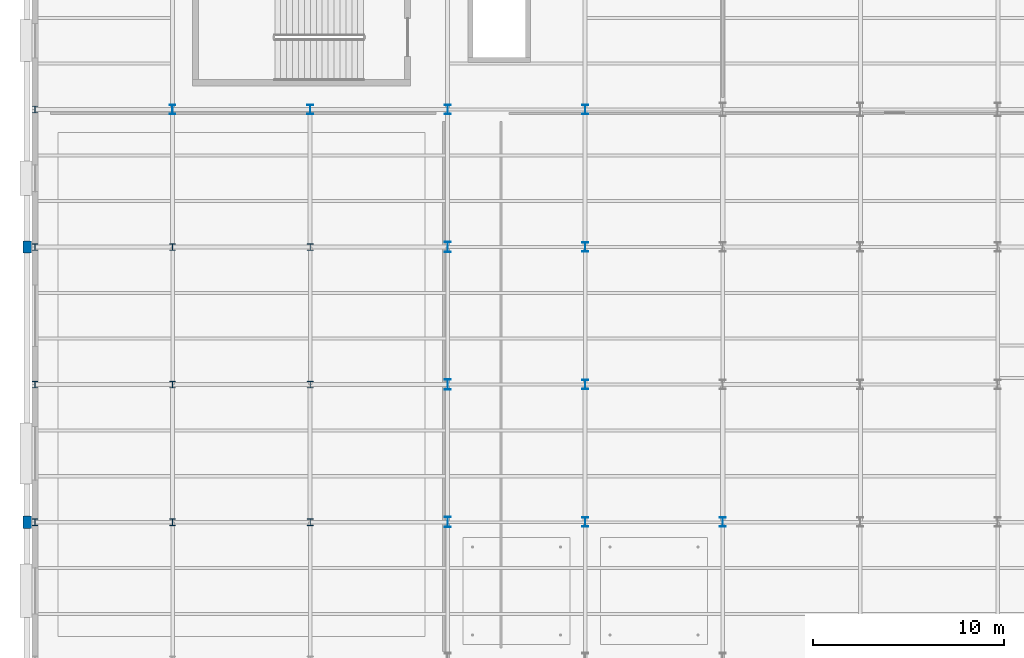
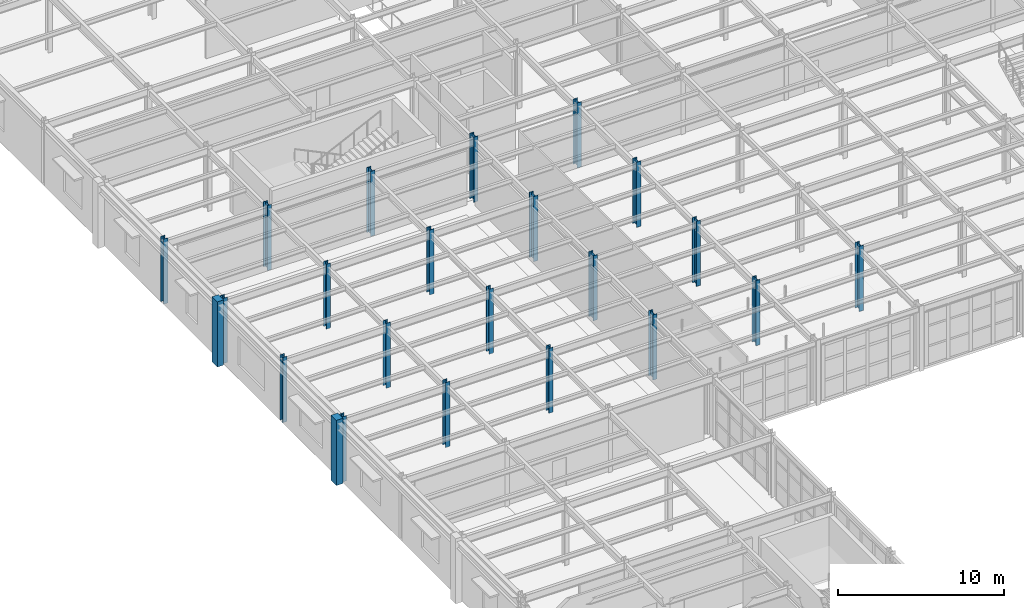
# One storey, part 8 of 121: 23 columns.
"""IFC4 building model written with IfcOpenShell, lengths in metres."""

from ifc_helpers import new_model, si_unit, direction, frame, origin, origin_2d, place, context, subcontext, project, spatial, rectangle, i_section, extrude, material, material_profile, profile_set, type_object, element, save


model = new_model("IFC4")

# Units and contexts
model_context = context("Model", 3, precision=1e-05, world=origin(), true_north=direction((0.0, 1.0)))
body_context = subcontext(model_context, "Body", "Model", "MODEL_VIEW")
ifc_project = project(units=[si_unit("LENGTHUNIT", "METRE"), si_unit("AREAUNIT", "SQUARE_METRE"), si_unit("VOLUMEUNIT", "CUBIC_METRE"), si_unit("PLANEANGLEUNIT", "RADIAN"), si_unit("MASSUNIT", "GRAM", prefix="KILO")], contexts=[model_context])

# Site, building, storey
site_placement = place(None, origin())
site = spatial("IfcSite", under=ifc_project, at=site_placement, CompositionType="ELEMENT")
building_placement = place(site_placement, origin())
building = spatial("IfcBuilding", under=site, at=building_placement, Name="Solvadek Multi-Sports Hall", CompositionType="ELEMENT")
storey_placement = place(building_placement, frame((0.0, 0.0, 4.800048828125)))
storey = spatial("IfcBuildingStorey", under=building, at=storey_placement, Name="L01", CompositionType="ELEMENT", Elevation=4.800048828125)

# Columns
ifc_material_1 = material(Name="Steel E350 (350 MPa)", Category="steel")
ifc_material_profile_1 = material_profile(ifc_material_1, i_section(OverallWidth=0.300048828125, OverallDepth=0.360107421875, WebThickness=0.012451171875, FlangeThickness=0.0224609375, at=origin_2d()), Name="WPB 360")
ifc_profile_set_1 = profile_set([ifc_material_profile_1], Name="Steel E350 (350 MPa)")
column_type_1 = type_object("IfcColumnType", Name="STR-COL-WPB360", PredefinedType="COLUMN", material=ifc_profile_set_1)
for number, where, z_axis, x_axis, name in (
    (1, (0.0, 56.39990234375, 0.0), (0.0, 0.0, 1.0), (1.0, 0.0, 0.0), "L01 Column C-08 #6"),
    (2, (0.0, 63.60009765625, 0.0), (0.0, 0.0, 1.0), (1.0, 0.0, 0.0), "L01 Column C-08 #7"),
    (3, (0.0, 70.800048828125, 0.0), (0.0, 0.0, 1.0), (1.0, 0.0, 0.0), "L01 Column C-08 #8"),
    (4, (0.0, 78.0, 0.0), (0.0, 0.0, 1.0), (1.0, 0.0, 0.0), "L01 Column C-08 #9"),
    (5, (7.199951171875, 56.39990234375, 0.0), (0.0, 0.0, 1.0), (1.0, 0.0, 0.0), "L01 Column C-08 #19"),
    (6, (7.199951171875, 63.60009765625, 0.0), (0.0, 0.0, 1.0), (1.0, 0.0, 0.0), "L01 Column C-08 #20"),
    (7, (7.199951171875, 70.800048828125, 0.0), (0.0, 0.0, 1.0), (1.0, 0.0, 0.0), "L01 Column C-08 #21"),
    (8, (14.39990234375, 56.39990234375, 0.0), (0.0, 0.0, 1.0), (1.0, 0.0, 0.0), "L01 Column C-08 #32"),
    (9, (14.39990234375, 63.60009765625, 0.0), (0.0, 0.0, 1.0), (1.0, 0.0, 0.0), "L01 Column C-08 #33"),
    (10, (14.39990234375, 70.800048828125, 0.0), (0.0, 0.0, 1.0), (1.0, 0.0, 0.0), "L01 Column C-08 #34"),
):
    element("IfcColumn", number, at=place(storey_placement, frame(where, z_axis=z_axis, x_axis=x_axis)), inside=storey, type_object=column_type_1, Name=name, PredefinedType="COLUMN", context=body_context, shape_type="SweptSolid", body=[
        extrude(i_section(OverallWidth=0.300048828125, OverallDepth=0.360107421875, WebThickness=0.012451171875, FlangeThickness=0.0224609375, at=origin_2d()), origin(), (0.0, 0.0, 1.0), 4.800048828125),
    ])
ifc_material_profile_2 = material_profile(ifc_material_1, i_section(OverallWidth=0.300048828125, OverallDepth=0.5, WebThickness=0.014404296875, FlangeThickness=0.028076171875, at=origin_2d()), Name="WPB 500")
ifc_profile_set_2 = profile_set([ifc_material_profile_2], Name="Steel E350 (350 MPa)")
column_type_2 = type_object("IfcColumnType", Name="STR-COL-WPB500", PredefinedType="COLUMN", material=ifc_profile_set_2)
for number, where, z_axis, x_axis, name in (
    (11, (7.199951171875, 78.0, 0.0), (0.0, 0.0, 1.0), (1.0, 0.0, 0.0), "L01 Column C-05 #22"),
    (12, (14.39990234375, 78.0, 0.0), (0.0, 0.0, 1.0), (1.0, 0.0, 0.0), "L01 Column C-05 #35"),
    (13, (21.60009765625, 78.0, 0.0), (0.0, 0.0, 1.0), (1.0, 0.0, 0.0), "L01 Column C-05 #48"),
    (14, (28.800048828125, 56.39990234375, 0.0), (0.0, 0.0, 1.0), (1.0, 0.0, 0.0), "L01 Column C-05 #58"),
    (15, (28.800048828125, 63.60009765625, 0.0), (0.0, 0.0, 1.0), (1.0, 0.0, 0.0), "L01 Column C-05 #59"),
    (16, (28.800048828125, 70.800048828125, 0.0), (0.0, 0.0, 1.0), (1.0, 0.0, 0.0), "L01 Column C-05 #60"),
    (17, (28.800048828125, 78.0, 0.0), (0.0, 0.0, 1.0), (1.0, 0.0, 0.0), "L01 Column C-05 #61"),
    (18, (36.0, 56.39990234375, 0.0), (0.0, 0.0, 1.0), (1.0, 0.0, 0.0), "L01 Column C-05 #73"),
):
    element("IfcColumn", number, at=place(storey_placement, frame(where, z_axis=z_axis, x_axis=x_axis)), inside=storey, type_object=column_type_2, Name=name, PredefinedType="COLUMN", context=body_context, shape_type="SweptSolid", body=[
        extrude(i_section(OverallWidth=0.300048828125, OverallDepth=0.5, WebThickness=0.014404296875, FlangeThickness=0.028076171875, at=origin_2d()), origin(), (0.0, 0.0, 1.0), 4.800048828125),
    ])
ifc_material_profile_3 = material_profile(ifc_material_1, i_section(OverallWidth=0.300048828125, OverallDepth=0.550048828125, WebThickness=0.014892578125, FlangeThickness=0.029052734375, at=origin_2d()), Name="WPB 550")
ifc_profile_set_3 = profile_set([ifc_material_profile_3], Name="Steel E350 (350 MPa)")
column_type_3 = type_object("IfcColumnType", Name="STR-COL-WPB550", PredefinedType="COLUMN", material=ifc_profile_set_3)
for number, where, z_axis, x_axis, name in (
    (19, (21.60009765625, 56.39990234375, 0.0), (0.0, 0.0, 1.0), (1.0, 0.0, 0.0), "L01 Column C-04 #45"),
    (20, (21.60009765625, 63.60009765625, 0.0), (0.0, 0.0, 1.0), (1.0, 0.0, 0.0), "L01 Column C-04 #46"),
    (21, (21.60009765625, 70.800048828125, 0.0), (0.0, 0.0, 1.0), (1.0, 0.0, 0.0), "L01 Column C-04 #47"),
):
    element("IfcColumn", number, at=place(storey_placement, frame(where, z_axis=z_axis, x_axis=x_axis)), inside=storey, type_object=column_type_3, Name=name, PredefinedType="COLUMN", context=body_context, shape_type="SweptSolid", body=[
        extrude(i_section(OverallWidth=0.300048828125, OverallDepth=0.550048828125, WebThickness=0.014892578125, FlangeThickness=0.029052734375, at=origin_2d()), origin(), (0.0, 0.0, 1.0), 4.800048828125),
    ])
ifc_material_2 = material(Name="Precast concrete M40", Category="concrete")
ifc_material_profile_4 = material_profile(ifc_material_2, rectangle(XDim=0.449951171875, YDim=0.64990234375, at=origin_2d()), Name="RC PILASTER 650x450")
ifc_profile_set_4 = profile_set([ifc_material_profile_4], Name="Precast concrete M40")
column_type_4 = type_object("IfcColumnType", Name="STR-PIL-650X450", PredefinedType="PILASTER", material=ifc_profile_set_4)
for number, where, z_axis, x_axis, name in (
    (22, (-0.419921875, 56.39990234375, 0.0), (0.0, 0.0, 1.0), (1.0, 0.0, 0.0), "L01 Column CP-01 #314"),
    (23, (-0.419921875, 70.800048828125, 0.0), (0.0, 0.0, 1.0), (1.0, 0.0, 0.0), "L01 Column CP-01 #315"),
):
    element("IfcColumn", number, at=place(storey_placement, frame(where, z_axis=z_axis, x_axis=x_axis)), inside=storey, type_object=column_type_4, Name=name, PredefinedType="PILASTER", context=body_context, shape_type="SweptSolid", body=[
        extrude(rectangle(XDim=0.449951171875, YDim=0.64990234375, at=origin_2d()), origin(), (0.0, 0.0, 1.0), 4.800048828125),
    ])

save(model, "model.ifc")
